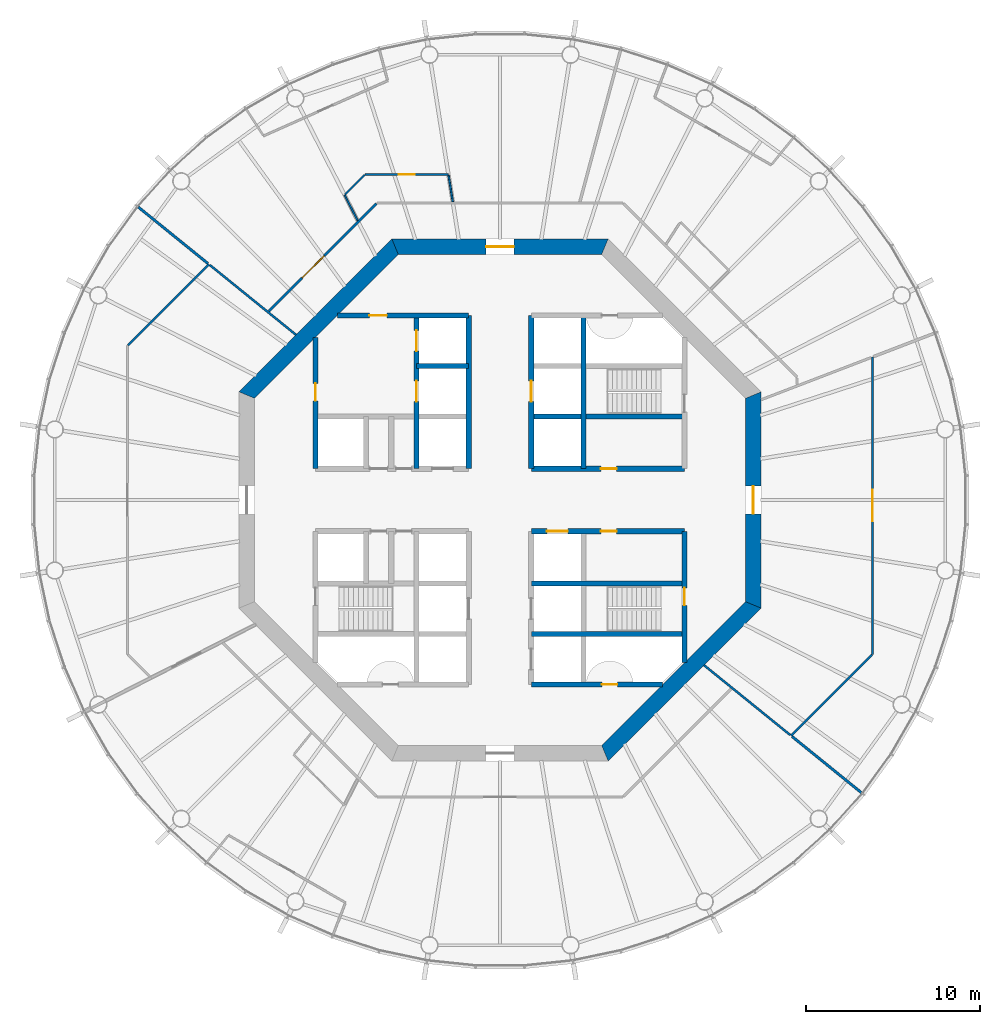
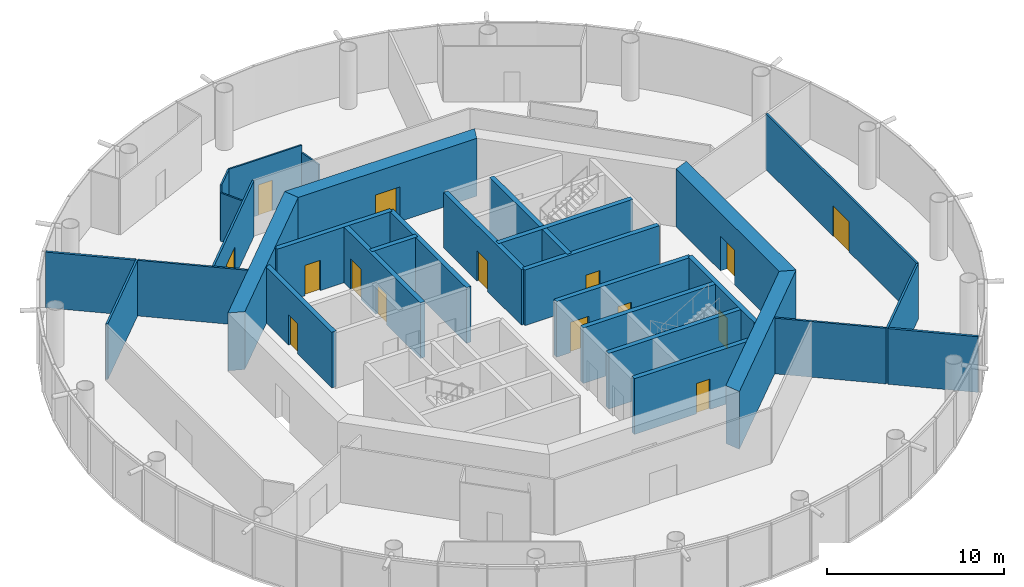
# One storey, part 4 of 12: 30 walls, 15 doors, 15 openings.
"""IFC4 building model written with IfcOpenShell, lengths in metres."""

from ifc_helpers import new_model, si_unit, direction, frame, frame_2d, origin, place, context, subcontext, project, spatial, polyline, rectangle, outline, extrude, material, layer, layer_set, type_object, element, fill, save


model = new_model("IFC4")

# Units and contexts
model_context = context("Model", 3, precision=1e-05, world=origin(), true_north=direction((0.0, 1.0)))
body_context = subcontext(model_context, "Body", "Model", "MODEL_VIEW")
ifc_project = project(units=[si_unit("LENGTHUNIT", "METRE"), si_unit("AREAUNIT", "SQUARE_METRE"), si_unit("VOLUMEUNIT", "CUBIC_METRE"), si_unit("PLANEANGLEUNIT", "RADIAN"), si_unit("MASSUNIT", "GRAM", prefix="KILO")], contexts=[model_context])

# Site, building, storey
site_placement = place(None, origin())
site = spatial("IfcSite", under=ifc_project, at=site_placement, CompositionType="ELEMENT")
building_placement = place(site_placement, origin())
building = spatial("IfcBuilding", under=site, at=building_placement, Name="Entoto Ring Tower", CompositionType="ELEMENT")
storey_placement = place(building_placement, frame((0.0, 0.0, 214.0)))
storey = spatial("IfcBuildingStorey", under=building, at=storey_placement, Name="L49", CompositionType="ELEMENT", Elevation=214.0)

# Wall, opening, door
ifc_material_1 = material(Name="Concrete C40/50", Category="concrete")
ifc_layer_1 = layer(ifc_material_1, 0.300048828125)
ifc_layer_set_1 = layer_set([ifc_layer_1], Name="Concrete C40/50")
wall_type_1 = type_object("IfcWallType", Name="Core enclosure wall 300 mm reinforced concrete", PredefinedType="SOLIDWALL", material=ifc_layer_set_1)
wall_1_placement = place(storey_placement, frame((100.60009765625, 70.65966796875, 0.0), z_axis=(0.0, 0.0, 1.0), x_axis=(0.0, 1.0, 0.0)))
wall_1 = element("IfcWall", 1, at=wall_1_placement, inside=storey, type_object=wall_type_1, Name="wall-L49-001", PredefinedType="SOLIDWALL", context=body_context, shape_type="SweptSolid", body=[
    extrude(rectangle(XDim=7.540283203125, YDim=0.300048828125, at=frame_2d((3.77001953125, 0.0))), origin(), (0.0, 0.0, 1.0), 3.85009765625),
])
opening_1_placement = place(wall_1_placement, frame((3.290283203125, 0.0, 0.0)))
opening_1 = element("IfcOpeningElement", 2, at=opening_1_placement, cuts=wall_1, Name="Opening K-61", PredefinedType="OPENING", context=body_context, shape_type="SweptSolid", body=[
    extrude(rectangle(XDim=1.0, YDim=2.10009765625, at=frame_2d((0.5, 1.050048828125))), frame((0.0, 0.16015625, 0.0), z_axis=(0.0, -1.0, 0.0), x_axis=(1.0, 0.0, 0.0)), (0.0, 0.0, 1.0), 0.320068359375),
])
ifc_material_2 = material(Name="Steel door leaf, fire rated", Category="steel")
ifc_layer_2 = layer(ifc_material_2, 0.050048828125)
ifc_layer_set_2 = layer_set([ifc_layer_2], Name="Steel door leaf, fire rated")
door_type_1 = type_object("IfcDoorType", Name="Fire door FD60 1000 x 2100 single leaf", OperationType="NOTDEFINED", PredefinedType="DOOR", material=ifc_layer_set_2)
door_1_placement = place(opening_1_placement, origin())
door_1 = element("IfcDoor", 3, at=door_1_placement, inside=storey, type_object=door_type_1, Name="Door K-61", OperationType="SINGLE_SWING_RIGHT", OverallHeight=2.10009765625, OverallWidth=1.0, PredefinedType="DOOR", context=body_context, shape_type="SweptSolid", body=[
    extrude(rectangle(XDim=1.0, YDim=2.10009765625, at=frame_2d((0.5, 1.050048828125))), frame((0.0, 0.02490234375, 0.0), z_axis=(0.0, -1.0, 0.0), x_axis=(1.0, 0.0, 0.0)), (0.0, 0.0, 1.0), 0.050048828125),
])
fill(opening_1, door_1)

# Wall
wall_2_placement = place(storey_placement, frame((94.800048828125, 81.800048828125, 0.0), z_axis=(0.0, 0.0, 1.0), x_axis=(0.0, 1.0, 0.0)))
element("IfcWall", 4, at=wall_2_placement, inside=storey, type_object=wall_type_1, Name="wall-L49-004", PredefinedType="SOLIDWALL", context=body_context, shape_type="SweptSolid", body=[
    extrude(rectangle(XDim=8.800048828125, YDim=0.300048828125, at=frame_2d((4.39990234375, 0.0))), origin(), (0.0, 0.0, 1.0), 3.85009765625),
])

# Wall, opening, door
wall_3_placement = place(storey_placement, frame((91.800048828125, 81.800048828125, 0.0), z_axis=(0.0, 0.0, 1.0), x_axis=(0.0, 1.0, 0.0)))
wall_3 = element("IfcWall", 5, at=wall_3_placement, inside=storey, type_object=wall_type_1, Name="wall-L49-006", PredefinedType="SOLIDWALL", context=body_context, shape_type="SweptSolid", body=[
    extrude(rectangle(XDim=8.800048828125, YDim=0.300048828125, at=frame_2d((4.39990234375, 0.0))), origin(), (0.0, 0.0, 1.0), 3.85009765625),
])
opening_2_placement = place(wall_3_placement, frame((3.85009765625, 0.0, 0.0)))
opening_2 = element("IfcOpeningElement", 6, at=opening_2_placement, cuts=wall_3, Name="Opening LD", PredefinedType="OPENING", context=body_context, shape_type="SweptSolid", body=[
    extrude(rectangle(XDim=1.199951171875, YDim=2.10009765625, at=frame_2d((0.60009765625, 1.050048828125))), frame((0.0, 0.16015625, 0.0), z_axis=(0.0, -1.0, 0.0), x_axis=(1.0, 0.0, 0.0)), (0.0, 0.0, 1.0), 0.320068359375),
])
ifc_material_3 = material(Name="Steel and glass door leaf", Category="steel")
ifc_layer_3 = layer(ifc_material_3, 0.050048828125)
ifc_layer_set_3 = layer_set([ifc_layer_3], Name="Steel and glass door leaf")
door_type_2 = type_object("IfcDoorType", Name="Landing door 1200 x 2100 sliding", OperationType="DOUBLE_DOOR_SLIDING", PredefinedType="DOOR", material=ifc_layer_set_3)
door_2_placement = place(opening_2_placement, origin())
door_2 = element("IfcDoor", 7, at=door_2_placement, inside=storey, type_object=door_type_2, Name="Landing door LB1-MR", OperationType="SLIDING_TO_RIGHT", OverallHeight=2.10009765625, OverallWidth=1.199951171875, PredefinedType="DOOR", context=body_context, shape_type="SweptSolid", body=[
    extrude(rectangle(XDim=1.199951171875, YDim=2.10009765625, at=frame_2d((0.60009765625, 1.050048828125))), frame((0.0, 0.02490234375, 0.0), z_axis=(0.0, -1.0, 0.0), x_axis=(1.0, 0.0, 0.0)), (0.0, 0.0, 1.0), 0.050048828125),
])
fill(opening_2, door_2)

# Wall
wall_4_placement = place(storey_placement, frame((88.199951171875, 81.800048828125, 0.0), z_axis=(0.0, 0.0, 1.0), x_axis=(0.0, 1.0, 0.0)))
element("IfcWall", 8, at=wall_4_placement, inside=storey, type_object=wall_type_1, Name="wall-L49-008", PredefinedType="SOLIDWALL", context=body_context, shape_type="SweptSolid", body=[
    extrude(rectangle(XDim=8.800048828125, YDim=0.300048828125, at=frame_2d((4.39990234375, 0.0))), origin(), (0.0, 0.0, 1.0), 3.85009765625),
])

# Wall, openings, doors
wall_5_placement = place(storey_placement, frame((85.199951171875, 81.800048828125, 0.0), z_axis=(0.0, 0.0, 1.0), x_axis=(0.0, 1.0, 0.0)))
wall_5 = element("IfcWall", 9, at=wall_5_placement, inside=storey, type_object=wall_type_1, Name="wall-L49-010", PredefinedType="SOLIDWALL", context=body_context, shape_type="SweptSolid", body=[
    extrude(rectangle(XDim=8.800048828125, YDim=0.300048828125, at=frame_2d((4.39990234375, 0.0))), origin(), (0.0, 0.0, 1.0), 3.85009765625),
])
opening_3_placement = place(wall_5_placement, frame((3.85009765625, 0.0, 0.0)))
opening_3 = element("IfcOpeningElement", 10, at=opening_3_placement, cuts=wall_5, Name="Opening LD", PredefinedType="OPENING", context=body_context, shape_type="SweptSolid", body=[
    extrude(rectangle(XDim=1.199951171875, YDim=2.10009765625, at=frame_2d((0.60009765625, 1.050048828125))), frame((0.0, 0.16015625, 0.0), z_axis=(0.0, -1.0, 0.0), x_axis=(1.0, 0.0, 0.0)), (0.0, 0.0, 1.0), 0.320068359375),
])
opening_4_placement = place(wall_5_placement, frame((6.75, 0.0, 0.0)))
opening_4 = element("IfcOpeningElement", 11, at=opening_4_placement, cuts=wall_5, Name="Opening LD", PredefinedType="OPENING", context=body_context, shape_type="SweptSolid", body=[
    extrude(rectangle(XDim=1.199951171875, YDim=2.10009765625, at=frame_2d((0.60009765625, 1.050048828125))), frame((0.0, 0.16015625, 0.0), z_axis=(0.0, -1.0, 0.0), x_axis=(1.0, 0.0, 0.0)), (0.0, 0.0, 1.0), 0.320068359375),
])
door_3_placement = place(opening_3_placement, origin())
door_3 = element("IfcDoor", 12, at=door_3_placement, inside=storey, type_object=door_type_2, Name="Landing door FF1", OperationType="SLIDING_TO_RIGHT", OverallHeight=2.10009765625, OverallWidth=1.199951171875, PredefinedType="DOOR", context=body_context, shape_type="SweptSolid", body=[
    extrude(rectangle(XDim=1.199951171875, YDim=2.10009765625, at=frame_2d((0.60009765625, 1.050048828125))), frame((0.0, 0.02490234375, 0.0), z_axis=(0.0, -1.0, 0.0), x_axis=(1.0, 0.0, 0.0)), (0.0, 0.0, 1.0), 0.050048828125),
])
fill(opening_3, door_3)
door_4_placement = place(opening_4_placement, origin())
door_4 = element("IfcDoor", 13, at=door_4_placement, inside=storey, type_object=door_type_2, Name="Landing door FF2", OperationType="SLIDING_TO_RIGHT", OverallHeight=2.10009765625, OverallWidth=1.199951171875, PredefinedType="DOOR", context=body_context, shape_type="SweptSolid", body=[
    extrude(rectangle(XDim=1.199951171875, YDim=2.10009765625, at=frame_2d((0.60009765625, 1.050048828125))), frame((0.0, 0.02490234375, 0.0), z_axis=(0.0, -1.0, 0.0), x_axis=(1.0, 0.0, 0.0)), (0.0, 0.0, 1.0), 0.050048828125),
])
fill(opening_4, door_4)

# Wall, opening, door
wall_6_placement = place(storey_placement, frame((79.39990234375, 81.800048828125, 0.0), z_axis=(0.0, 0.0, 1.0), x_axis=(0.0, 1.0, 0.0)))
wall_6 = element("IfcWall", 14, at=wall_6_placement, inside=storey, type_object=wall_type_1, Name="wall-L49-016", PredefinedType="SOLIDWALL", context=body_context, shape_type="SweptSolid", body=[
    extrude(rectangle(XDim=7.540283203125, YDim=0.300048828125, at=frame_2d((3.77001953125, 0.0))), origin(), (0.0, 0.0, 1.0), 3.85009765625),
])
opening_5_placement = place(wall_6_placement, frame((3.89990234375, 0.0, 0.0)))
opening_5 = element("IfcOpeningElement", 15, at=opening_5_placement, cuts=wall_6, Name="Opening K-23", PredefinedType="OPENING", context=body_context, shape_type="SweptSolid", body=[
    extrude(rectangle(XDim=1.0, YDim=2.10009765625, at=frame_2d((0.5, 1.050048828125))), frame((0.0, 0.16015625, 0.0), z_axis=(0.0, -1.0, 0.0), x_axis=(1.0, 0.0, 0.0)), (0.0, 0.0, 1.0), 0.320068359375),
])
door_5_placement = place(opening_5_placement, frame((1.0, 0.0, 0.0), z_axis=(0.0, 0.0, 1.0), x_axis=(-1.0, 0.0, 0.0)))
door_5 = element("IfcDoor", 16, at=door_5_placement, inside=storey, type_object=door_type_1, Name="Door K-23", OperationType="SINGLE_SWING_RIGHT", OverallHeight=2.10009765625, OverallWidth=1.0, PredefinedType="DOOR", context=body_context, shape_type="SweptSolid", body=[
    extrude(rectangle(XDim=1.0, YDim=2.10009765625, at=frame_2d((0.5, 1.050048828125))), frame((0.0, 0.02490234375, 0.0), z_axis=(0.0, -1.0, 0.0), x_axis=(1.0, 0.0, 0.0)), (0.0, 0.0, 1.0), 0.050048828125),
])
fill(opening_5, door_5)

wall_7_placement = place(storey_placement, frame((91.800048828125, 69.39990234375, 0.0), z_axis=(0.0, 0.0, 1.0), x_axis=(1.0, 0.0, 0.0)))
wall_7 = element("IfcWall", 17, at=wall_7_placement, inside=storey, type_object=wall_type_1, Name="wall-L49-018", PredefinedType="SOLIDWALL", context=body_context, shape_type="SweptSolid", body=[
    extrude(rectangle(XDim=7.540283203125, YDim=0.300048828125, at=frame_2d((3.77001953125, 0.0))), origin(), (0.0, 0.0, 1.0), 3.85009765625),
])
opening_6_placement = place(wall_7_placement, frame((4.050048828125, 0.0, 0.0)))
opening_6 = element("IfcOpeningElement", 18, at=opening_6_placement, cuts=wall_7, Name="Opening K-68", PredefinedType="OPENING", context=body_context, shape_type="SweptSolid", body=[
    extrude(rectangle(XDim=0.89990234375, YDim=2.10009765625, at=frame_2d((0.449951171875, 1.050048828125))), frame((0.0, 0.16015625, 0.0), z_axis=(0.0, -1.0, 0.0), x_axis=(1.0, 0.0, 0.0)), (0.0, 0.0, 1.0), 0.320068359375),
])
ifc_material_4 = material(Name="Steel door leaf, fire rated", Category="steel")
ifc_layer_4 = layer(ifc_material_4, 0.050048828125)
ifc_layer_set_4 = layer_set([ifc_layer_4], Name="Steel door leaf, fire rated")
door_type_3 = type_object("IfcDoorType", Name="Riser door FD60 900 x 2100 single leaf", OperationType="NOTDEFINED", PredefinedType="DOOR", material=ifc_layer_set_4)
door_6_placement = place(opening_6_placement, origin())
door_6 = element("IfcDoor", 19, at=door_6_placement, inside=storey, type_object=door_type_3, Name="Door K-68", OperationType="SINGLE_SWING_LEFT", OverallHeight=2.10009765625, OverallWidth=0.89990234375, PredefinedType="DOOR", context=body_context, shape_type="SweptSolid", body=[
    extrude(rectangle(XDim=0.89990234375, YDim=2.10009765625, at=frame_2d((0.449951171875, 1.050048828125))), frame((0.0, 0.02490234375, 0.0), z_axis=(0.0, -1.0, 0.0), x_axis=(1.0, 0.0, 0.0)), (0.0, 0.0, 1.0), 0.050048828125),
])
fill(opening_6, door_6)

# Walls
for number, where, z_axis, x_axis, name in (
    (20, (91.800048828125, 72.300048828125, 0.0), (0.0, 0.0, 1.0), (1.0, 0.0, 0.0), "wall-L49-020"),
    (21, (91.800048828125, 75.199951171875, 0.0), (0.0, 0.0, 1.0), (1.0, 0.0, 0.0), "wall-L49-022"),
):
    element("IfcWall", number, at=place(storey_placement, frame(where, z_axis=z_axis, x_axis=x_axis)), inside=storey, type_object=wall_type_1, Name=name, PredefinedType="SOLIDWALL", context=body_context, shape_type="SweptSolid", body=[
        extrude(rectangle(XDim=8.800048828125, YDim=0.300048828125, at=frame_2d((4.39990234375, 0.0))), origin(), (0.0, 0.0, 1.0), 3.85009765625),
    ])

# Wall, openings, doors
wall_8_placement = place(storey_placement, frame((91.800048828125, 78.199951171875, 0.0), z_axis=(0.0, 0.0, 1.0), x_axis=(1.0, 0.0, 0.0)))
wall_8 = element("IfcWall", 22, at=wall_8_placement, inside=storey, type_object=wall_type_1, Name="wall-L49-024", PredefinedType="SOLIDWALL", context=body_context, shape_type="SweptSolid", body=[
    extrude(rectangle(XDim=8.800048828125, YDim=0.300048828125, at=frame_2d((4.39990234375, 0.0))), origin(), (0.0, 0.0, 1.0), 3.85009765625),
])
opening_7_placement = place(wall_8_placement, frame((0.89990234375, 0.0, 0.0)))
opening_7 = element("IfcOpeningElement", 23, at=opening_7_placement, cuts=wall_8, Name="Opening LD", PredefinedType="OPENING", context=body_context, shape_type="SweptSolid", body=[
    extrude(rectangle(XDim=1.199951171875, YDim=2.10009765625, at=frame_2d((0.60009765625, 1.050048828125))), frame((0.0, 0.16015625, 0.0), z_axis=(0.0, -1.0, 0.0), x_axis=(1.0, 0.0, 0.0)), (0.0, 0.0, 1.0), 0.320068359375),
])
opening_8_placement = place(wall_8_placement, frame((4.0, 0.0, 0.0)))
opening_8 = element("IfcOpeningElement", 24, at=opening_8_placement, cuts=wall_8, Name="Opening K-12", PredefinedType="OPENING", context=body_context, shape_type="SweptSolid", body=[
    extrude(rectangle(XDim=0.89990234375, YDim=2.10009765625, at=frame_2d((0.449951171875, 1.050048828125))), frame((0.0, 0.16015625, 0.0), z_axis=(0.0, -1.0, 0.0), x_axis=(1.0, 0.0, 0.0)), (0.0, 0.0, 1.0), 0.320068359375),
])
ifc_material_5 = material(Name="Steel door leaf, fire rated", Category="steel")
ifc_layer_5 = layer(ifc_material_5, 0.050048828125)
ifc_layer_set_5 = layer_set([ifc_layer_5], Name="Steel door leaf, fire rated")
door_type_4 = type_object("IfcDoorType", Name="Core door 900 x 2100 single leaf", OperationType="NOTDEFINED", PredefinedType="DOOR", material=ifc_layer_set_5)
door_7_placement = place(opening_8_placement, frame((0.89990234375, 0.0, 0.0), z_axis=(0.0, 0.0, 1.0), x_axis=(-1.0, 0.0, 0.0)))
door_7 = element("IfcDoor", 25, at=door_7_placement, inside=storey, type_object=door_type_4, Name="Door K-12", OperationType="SINGLE_SWING_RIGHT", OverallHeight=2.10009765625, OverallWidth=0.89990234375, PredefinedType="DOOR", context=body_context, shape_type="SweptSolid", body=[
    extrude(rectangle(XDim=0.89990234375, YDim=2.10009765625, at=frame_2d((0.449951171875, 1.050048828125))), frame((0.0, 0.02490234375, 0.0), z_axis=(0.0, -1.0, 0.0), x_axis=(1.0, 0.0, 0.0)), (0.0, 0.0, 1.0), 0.050048828125),
])
fill(opening_8, door_7)
door_8_placement = place(opening_7_placement, origin())
door_8 = element("IfcDoor", 26, at=door_8_placement, inside=storey, type_object=door_type_2, Name="Landing door LB6-MR", OperationType="SLIDING_TO_LEFT", OverallHeight=2.10009765625, OverallWidth=1.199951171875, PredefinedType="DOOR", context=body_context, shape_type="SweptSolid", body=[
    extrude(rectangle(XDim=1.199951171875, YDim=2.10009765625, at=frame_2d((0.60009765625, 1.050048828125))), frame((0.0, 0.02490234375, 0.0), z_axis=(0.0, -1.0, 0.0), x_axis=(1.0, 0.0, 0.0)), (0.0, 0.0, 1.0), 0.050048828125),
])
fill(opening_7, door_8)

# Wall, opening, door
wall_9_placement = place(storey_placement, frame((91.800048828125, 81.800048828125, 0.0), z_axis=(0.0, 0.0, 1.0), x_axis=(1.0, 0.0, 0.0)))
wall_9 = element("IfcWall", 27, at=wall_9_placement, inside=storey, type_object=wall_type_1, Name="wall-L49-026", PredefinedType="SOLIDWALL", context=body_context, shape_type="SweptSolid", body=[
    extrude(rectangle(XDim=8.800048828125, YDim=0.300048828125, at=frame_2d((4.39990234375, 0.0))), origin(), (0.0, 0.0, 1.0), 3.85009765625),
])
opening_9_placement = place(wall_9_placement, frame((4.0, 0.0, 0.0)))
opening_9 = element("IfcOpeningElement", 28, at=opening_9_placement, cuts=wall_9, Name="Opening K-11", PredefinedType="OPENING", context=body_context, shape_type="SweptSolid", body=[
    extrude(rectangle(XDim=0.89990234375, YDim=2.10009765625, at=frame_2d((0.449951171875, 1.050048828125))), frame((0.0, 0.16015625, 0.0), z_axis=(0.0, -1.0, 0.0), x_axis=(1.0, 0.0, 0.0)), (0.0, 0.0, 1.0), 0.320068359375),
])
door_9_placement = place(opening_9_placement, origin())
door_9 = element("IfcDoor", 29, at=door_9_placement, inside=storey, type_object=door_type_4, Name="Door K-11", OperationType="SINGLE_SWING_LEFT", OverallHeight=2.10009765625, OverallWidth=0.89990234375, PredefinedType="DOOR", context=body_context, shape_type="SweptSolid", body=[
    extrude(rectangle(XDim=0.89990234375, YDim=2.10009765625, at=frame_2d((0.449951171875, 1.050048828125))), frame((0.0, 0.02490234375, 0.0), z_axis=(0.0, -1.0, 0.0), x_axis=(1.0, 0.0, 0.0)), (0.0, 0.0, 1.0), 0.050048828125),
])
fill(opening_9, door_9)

# Walls
wall_10_placement = place(storey_placement, frame((91.800048828125, 84.800048828125, 0.0), z_axis=(0.0, 0.0, 1.0), x_axis=(1.0, 0.0, 0.0)))
element("IfcWall", 30, at=wall_10_placement, inside=storey, type_object=wall_type_1, Name="wall-L49-028", PredefinedType="SOLIDWALL", context=body_context, shape_type="SweptSolid", body=[
    extrude(rectangle(XDim=8.800048828125, YDim=0.300048828125, at=frame_2d((4.39990234375, 0.0))), origin(), (0.0, 0.0, 1.0), 3.85009765625),
])
wall_11_placement = place(storey_placement, frame((85.199951171875, 87.699951171875, 0.0), z_axis=(0.0, 0.0, 1.0), x_axis=(1.0, 0.0, 0.0)))
element("IfcWall", 31, at=wall_11_placement, inside=storey, type_object=wall_type_1, Name="wall-L49-029", PredefinedType="SOLIDWALL", context=body_context, shape_type="SweptSolid", body=[
    extrude(rectangle(XDim=3.0, YDim=0.300048828125, at=frame_2d((1.5, 0.0))), origin(), (0.0, 0.0, 1.0), 3.85009765625),
])

# Wall, opening, door
wall_12_placement = place(storey_placement, frame((80.65966796875, 90.60009765625, 0.0), z_axis=(0.0, 0.0, 1.0), x_axis=(1.0, 0.0, 0.0)))
wall_12 = element("IfcWall", 32, at=wall_12_placement, inside=storey, type_object=wall_type_1, Name="wall-L49-031", PredefinedType="SOLIDWALL", context=body_context, shape_type="SweptSolid", body=[
    extrude(rectangle(XDim=7.540283203125, YDim=0.300048828125, at=frame_2d((3.77001953125, 0.0))), origin(), (0.0, 0.0, 1.0), 3.85009765625),
])
opening_10_placement = place(wall_12_placement, frame((1.84033203125, 0.0, 0.0)))
opening_10 = element("IfcOpeningElement", 33, at=opening_10_placement, cuts=wall_12, Name="Opening K-73", PredefinedType="OPENING", context=body_context, shape_type="SweptSolid", body=[
    extrude(rectangle(XDim=1.0, YDim=2.10009765625, at=frame_2d((0.5, 1.050048828125))), frame((0.0, 0.16015625, 0.0), z_axis=(0.0, -1.0, 0.0), x_axis=(1.0, 0.0, 0.0)), (0.0, 0.0, 1.0), 0.320068359375),
])
door_10_placement = place(opening_10_placement, frame((1.0, 0.0, 0.0), z_axis=(0.0, 0.0, 1.0), x_axis=(-1.0, 0.0, 0.0)))
door_10 = element("IfcDoor", 34, at=door_10_placement, inside=storey, type_object=door_type_1, Name="Door K-73", OperationType="SINGLE_SWING_LEFT", OverallHeight=2.10009765625, OverallWidth=1.0, PredefinedType="DOOR", context=body_context, shape_type="SweptSolid", body=[
    extrude(rectangle(XDim=1.0, YDim=2.10009765625, at=frame_2d((0.5, 1.050048828125))), frame((0.0, 0.02490234375, 0.0), z_axis=(0.0, -1.0, 0.0), x_axis=(1.0, 0.0, 0.0)), (0.0, 0.0, 1.0), 0.050048828125),
])
fill(opening_10, door_10)

ifc_material_6 = material(Name="Concrete C50/60", Category="concrete")
ifc_layer_6 = layer(ifc_material_6, 0.89990234375)
ifc_layer_set_6 = layer_set([ifc_layer_6], Name="Concrete C50/60")
wall_type_2 = type_object("IfcWallType", Name="Core shear wall 900 mm reinforced concrete C50/60", PredefinedType="SHEAR", material=ifc_layer_set_6)
wall_13_placement = place(storey_placement, frame((104.550048828125, 73.97314453125, 0.0), z_axis=(0.0, 0.0, 1.0), x_axis=(0.0, 1.0, 0.0)))
wall_13 = element("IfcWall", 35, at=wall_13_placement, inside=storey, type_object=wall_type_2, Name="wall-L49-core-0", PredefinedType="SHEAR", context=body_context, shape_type="SweptSolid", body=[
    extrude(outline(polyline([(-0.186279296875, -0.449951171875), (12.239990234375, -0.449951171875), (11.867431640625, 0.449951171875), (0.186279296875, 0.449951171875), (-0.186279296875, -0.449951171875)])), origin(), (0.0, 0.0, 1.0), 4.0),
])
opening_11_placement = place(wall_13_placement, frame((5.226806640625, 0.0, 0.0)))
opening_11 = element("IfcOpeningElement", 36, at=opening_11_placement, cuts=wall_13, Name="Opening K-01", PredefinedType="OPENING", context=body_context, shape_type="SweptSolid", body=[
    extrude(rectangle(XDim=1.60009765625, YDim=2.39990234375, at=frame_2d((0.800048828125, 1.199951171875))), frame((0.0, 0.4599609375, 0.0), z_axis=(0.0, -1.0, 0.0), x_axis=(1.0, 0.0, 0.0)), (0.0, 0.0, 1.0), 0.919921875),
])
ifc_material_7 = material(Name="Steel door leaf, fire rated", Category="steel")
ifc_layer_7 = layer(ifc_material_7, 0.050048828125)
ifc_layer_set_7 = layer_set([ifc_layer_7], Name="Steel door leaf, fire rated")
door_type_5 = type_object("IfcDoorType", Name="Entrance door FD60 1600 x 2400 double leaf", OperationType="DOUBLE_DOOR_SINGLE_SWING", PredefinedType="DOOR", material=ifc_layer_set_7)
door_11_placement = place(opening_11_placement, origin())
door_11 = element("IfcDoor", 37, at=door_11_placement, inside=storey, type_object=door_type_5, Name="Entrance door K-01", OperationType="DOUBLE_DOOR_SINGLE_SWING", OverallHeight=2.39990234375, OverallWidth=1.60009765625, PredefinedType="DOOR", context=body_context, shape_type="SweptSolid", body=[
    extrude(rectangle(XDim=1.60009765625, YDim=2.39990234375, at=frame_2d((0.800048828125, 1.199951171875))), frame((0.0, 0.02490234375, 0.0), z_axis=(0.0, -1.0, 0.0), x_axis=(1.0, 0.0, 0.0)), (0.0, 0.0, 1.0), 0.050048828125),
])
fill(opening_11, door_11)

wall_14_placement = place(storey_placement, frame((96.02685546875, 94.550048828125, 0.0), z_axis=(0.0, 0.0, 1.0), x_axis=(-1.0, 0.0, 0.0)))
wall_14 = element("IfcWall", 38, at=wall_14_placement, inside=storey, type_object=wall_type_2, Name="wall-L49-core-2", PredefinedType="SHEAR", context=body_context, shape_type="SweptSolid", body=[
    extrude(outline(polyline([(-0.186279296875, -0.449951171875), (12.239990234375, -0.449951171875), (11.867431640625, 0.449951171875), (0.186279296875, 0.449951171875), (-0.186279296875, -0.449951171875)])), origin(), (0.0, 0.0, 1.0), 4.0),
])
opening_12_placement = place(wall_14_placement, frame((5.226806640625, 0.0, 0.0)))
opening_12 = element("IfcOpeningElement", 39, at=opening_12_placement, cuts=wall_14, Name="Opening K-02", PredefinedType="OPENING", context=body_context, shape_type="SweptSolid", body=[
    extrude(rectangle(XDim=1.60009765625, YDim=2.39990234375, at=frame_2d((0.800048828125, 1.199951171875))), frame((0.0, 0.4599609375, 0.0), z_axis=(0.0, -1.0, 0.0), x_axis=(1.0, 0.0, 0.0)), (0.0, 0.0, 1.0), 0.919921875),
])
door_12_placement = place(opening_12_placement, origin())
door_12 = element("IfcDoor", 40, at=door_12_placement, inside=storey, type_object=door_type_5, Name="Entrance door K-02", OperationType="DOUBLE_DOOR_SINGLE_SWING", OverallHeight=2.39990234375, OverallWidth=1.60009765625, PredefinedType="DOOR", context=body_context, shape_type="SweptSolid", body=[
    extrude(rectangle(XDim=1.60009765625, YDim=2.39990234375, at=frame_2d((0.800048828125, 1.199951171875))), frame((0.0, 0.02490234375, 0.0), z_axis=(0.0, -1.0, 0.0), x_axis=(1.0, 0.0, 0.0)), (0.0, 0.0, 1.0), 0.050048828125),
])
fill(opening_12, door_12)

# Walls
for number, where, z_axis, x_axis, name in (
    (41, (83.97314453125, 94.550048828125, 0.0), (0.0, 0.0, 1.0), (-0.707106781187, -0.707106781187, 0.0), "wall-L49-core-3"),
    (42, (96.02685546875, 65.449951171875, 0.0), (0.0, 0.0, 1.0), (0.707106781187, 0.707106781187, 0.0), "wall-L49-core-7"),
):
    element("IfcWall", number, at=place(storey_placement, frame(where, z_axis=z_axis, x_axis=x_axis)), inside=storey, type_object=wall_type_2, Name=name, PredefinedType="SHEAR", context=body_context, shape_type="SweptSolid", body=[
        extrude(outline(polyline([(-0.186279296875, -0.449951171875), (12.239990234375, -0.449951171875), (11.867431640625, 0.449951171875), (0.186279296875, 0.449951171875), (-0.186279296875, -0.449951171875)])), origin(), (0.0, 0.0, 1.0), 4.0),
    ])

# Wall, opening, door
ifc_material_8 = material(Name="Fire-resisting plasterboard on steel studs", Category="steel")
ifc_layer_8 = layer(ifc_material_8, 0.125)
ifc_layer_set_8 = layer_set([ifc_layer_8], Name="Fire-resisting plasterboard on steel studs")
wall_type_3 = type_object("IfcWallType", Name="Corridor wall 125 mm one-hour plasterboard on steel studs", PredefinedType="PARTITIONING", material=ifc_layer_set_8)
wall_15_placement = place(storey_placement, frame((111.39990234375, 71.1357421875, 0.0), z_axis=(0.0, 0.0, 1.0), x_axis=(0.0, 1.0, 0.0)))
wall_15 = element("IfcWall", 43, at=wall_15_placement, inside=storey, type_object=wall_type_3, Name="partition-L49-002", PredefinedType="PARTITIONING", context=body_context, shape_type="SweptSolid", body=[
    extrude(rectangle(XDim=17.078857421875, YDim=0.125, at=frame_2d((8.53955078125, 0.0))), origin(), (0.0, 0.0, 1.0), 3.85009765625),
])
opening_13_placement = place(wall_15_placement, frame((7.639404296875, 0.0, 0.0)))
opening_13 = element("IfcOpeningElement", 44, at=opening_13_placement, cuts=wall_15, Name="Opening A21-D01", PredefinedType="OPENING", context=body_context, shape_type="SweptSolid", body=[
    extrude(rectangle(XDim=1.800048828125, YDim=2.10009765625, at=frame_2d((0.89990234375, 1.050048828125))), frame((0.0, 0.072509765625, 0.0), z_axis=(0.0, -1.0, 0.0), x_axis=(1.0, 0.0, 0.0)), (0.0, 0.0, 1.0), 0.14501953125),
])
ifc_material_9 = material(Name="Fire-resisting timber door set", Category="wood")
door_type_6 = type_object("IfcDoorType", Name="Door 1800 x 2100 double leaf FD30S fire door", OperationType="DOUBLE_DOOR_SINGLE_SWING", PredefinedType="DOOR", material=ifc_material_9)
door_13_placement = place(opening_13_placement, frame((1.800048828125, 0.0, 0.0), z_axis=(0.0, 0.0, 1.0), x_axis=(-1.0, 0.0, 0.0)))
door_13 = element("IfcDoor", 45, at=door_13_placement, inside=storey, type_object=door_type_6, Name="Door A21-D01", OperationType="DOUBLE_DOOR_SINGLE_SWING", OverallHeight=2.10009765625, OverallWidth=1.800048828125, PredefinedType="DOOR", context=body_context, shape_type="SweptSolid", body=[
    extrude(rectangle(XDim=1.800048828125, YDim=2.10009765625, at=frame_2d((0.89990234375, 1.050048828125))), frame((0.0, 0.02490234375, 0.0), z_axis=(0.0, -1.0, 0.0), x_axis=(1.0, 0.0, 0.0)), (0.0, 0.0, 1.0), 0.050048828125),
])
fill(opening_13, door_13)

wall_16_placement = place(storey_placement, frame((76.716064453125, 90.845947265625, 0.0), z_axis=(0.0, 0.0, 1.0), x_axis=(0.707092826187, 0.70712073591, 0.0)))
wall_16 = element("IfcWall", 46, at=wall_16_placement, inside=storey, type_object=wall_type_3, Name="partition-L49-007", PredefinedType="PARTITIONING", context=body_context, shape_type="SweptSolid", body=[
    extrude(rectangle(XDim=8.74755859375, YDim=0.125, at=frame_2d((4.373779296875, 0.0))), origin(), (0.0, 0.0, 1.0), 3.85009765625),
])
opening_14_placement = place(wall_16_placement, frame((2.69921875, 0.0, 0.0)))
opening_14 = element("IfcOpeningElement", 47, at=opening_14_placement, cuts=wall_16, Name="Opening A21-D06", PredefinedType="OPENING", context=body_context, shape_type="SweptSolid", body=[
    extrude(rectangle(XDim=1.800048828125, YDim=2.10009765625, at=frame_2d((0.89990234375, 1.050048828125))), frame((0.0, 0.072509765625, 0.0), z_axis=(0.0, -1.0, 0.0), x_axis=(1.0, 0.0, 0.0)), (0.0, 0.0, 1.0), 0.14501953125),
])
door_14_placement = place(opening_14_placement, origin())
door_14 = element("IfcDoor", 48, at=door_14_placement, inside=storey, type_object=door_type_6, Name="Door A21-D06", OperationType="DOUBLE_DOOR_SINGLE_SWING", OverallHeight=2.10009765625, OverallWidth=1.800048828125, PredefinedType="DOOR", context=body_context, shape_type="SweptSolid", body=[
    extrude(rectangle(XDim=1.800048828125, YDim=2.10009765625, at=frame_2d((0.89990234375, 1.050048828125))), frame((0.0, 0.02490234375, 0.0), z_axis=(0.0, -1.0, 0.0), x_axis=(1.0, 0.0, 0.0)), (0.0, 0.0, 1.0), 0.050048828125),
])
fill(opening_14, door_14)

# Walls
for number, where, z_axis, x_axis, name in (
    (49, (68.631103515625, 88.895263671875, 0.0), (0.0, 0.0, 1.0), (0.707125358217, 0.707088203668, 0.0), "partition-L49-011"),
    (50, (106.722412109375, 66.45849609375, 0.0), (0.0, 0.0, 1.0), (0.707125358217, 0.707088203668, 0.0), "partition-L49-012"),
):
    element("IfcWall", number, at=place(storey_placement, frame(where, z_axis=z_axis, x_axis=x_axis)), inside=storey, type_object=wall_type_3, Name=name, PredefinedType="PARTITIONING", context=body_context, shape_type="SweptSolid", body=[
        extrude(rectangle(XDim=6.571044921875, YDim=0.125, at=frame_2d((3.28564453125, 0.0))), origin(), (0.0, 0.0, 1.0), 3.85009765625),
    ])
for number, where, z_axis, x_axis, name in (
    (51, (106.67431640625, 66.49755859375, 0.0), (0.0, 0.0, 1.0), (-0.777147622925, 0.629318339302, 0.0), "partition-L49-013"),
    (52, (78.278564453125, 89.49169921875, 0.0), (0.0, 0.0, 1.0), (-0.777147622925, 0.629318339302, 0.0), "partition-L49-014"),
):
    element("IfcWall", number, at=place(storey_placement, frame(where, z_axis=z_axis, x_axis=x_axis)), inside=storey, type_object=wall_type_3, Name=name, PredefinedType="PARTITIONING", context=body_context, shape_type="SweptSolid", body=[
        extrude(rectangle(XDim=6.373046875, YDim=0.125, at=frame_2d((3.1865234375, 0.0))), origin(), (0.0, 0.0, 1.0), 3.85009765625),
    ])

# Wall, opening, door
ifc_material_10 = material(Name="Plasterboard on steel studs", Category="steel")
ifc_layer_9 = layer(ifc_material_10, 0.10009765625)
ifc_layer_set_9 = layer_set([ifc_layer_9], Name="Plasterboard on steel studs")
wall_type_4 = type_object("IfcWallType", Name="Partition 100 mm plasterboard on steel studs", PredefinedType="PARTITIONING", material=ifc_layer_set_9)
wall_17_placement = place(storey_placement, frame((82.253173828125, 98.702392578125, 0.0), z_axis=(0.0, 0.0, 1.0), x_axis=(1.0, 0.0, 0.0)))
wall_17 = element("IfcWall", 53, at=wall_17_placement, inside=storey, type_object=wall_type_4, Name="partition-L49-025", PredefinedType="PARTITIONING", context=body_context, shape_type="SweptSolid", body=[
    extrude(rectangle(XDim=4.78466796875, YDim=0.10009765625, at=frame_2d((2.392333984375, 0.0))), origin(), (0.0, 0.0, 1.0), 3.85009765625),
])
opening_15_placement = place(wall_17_placement, frame((1.9423828125, 0.0, 0.0)))
opening_15 = element("IfcOpeningElement", 54, at=opening_15_placement, cuts=wall_17, Name="Opening A21-D07", PredefinedType="OPENING", context=body_context, shape_type="SweptSolid", body=[
    extrude(rectangle(XDim=0.89990234375, YDim=2.10009765625, at=frame_2d((0.449951171875, 1.050048828125))), frame((0.0, 0.06005859375, 0.0), z_axis=(0.0, -1.0, 0.0), x_axis=(1.0, 0.0, 0.0)), (0.0, 0.0, 1.0), 0.1201171875),
])
ifc_material_11 = material(Name="Veneered timber door leaf in timber frame", Category="wood")
door_type_7 = type_object("IfcDoorType", Name="Door 900 x 2100 single leaf timber veneer", OperationType="NOTDEFINED", PredefinedType="DOOR", material=ifc_material_11)
door_15_placement = place(opening_15_placement, frame((0.89990234375, 0.0, 0.0), z_axis=(0.0, 0.0, 1.0), x_axis=(-1.0, 0.0, 0.0)))
door_15 = element("IfcDoor", 55, at=door_15_placement, inside=storey, type_object=door_type_7, Name="Door A21-D07", OperationType="SINGLE_SWING_LEFT", OverallHeight=2.10009765625, OverallWidth=0.89990234375, PredefinedType="DOOR", context=body_context, shape_type="SweptSolid", body=[
    extrude(rectangle(XDim=0.89990234375, YDim=2.10009765625, at=frame_2d((0.449951171875, 1.050048828125))), frame((0.0, 0.02490234375, 0.0), z_axis=(0.0, -1.0, 0.0), x_axis=(1.0, 0.0, 0.0)), (0.0, 0.0, 1.0), 0.050048828125),
])
fill(opening_15, door_15)

# Walls
wall_18_placement = place(storey_placement, frame((81.105712890625, 97.55517578125, 0.0), z_axis=(0.0, 0.0, 1.0), x_axis=(0.707106781187, 0.707106781187, 0.0)))
element("IfcWall", 56, at=wall_18_placement, inside=storey, type_object=wall_type_4, Name="partition-L49-036", PredefinedType="PARTITIONING", context=body_context, shape_type="SweptSolid", body=[
    extrude(rectangle(XDim=1.587646484375, YDim=0.10009765625, at=frame_2d((0.7939453125, 0.0))), origin(), (0.0, 0.0, 1.0), 3.85009765625),
])
ifc_material_12 = material(Name="Plasterboard on steel studs", Category="steel")
ifc_layer_10 = layer(ifc_material_12, 0.10009765625)
ifc_layer_set_10 = layer_set([ifc_layer_10], Name="Plasterboard on steel studs")
wall_type_5 = type_object("IfcWallType", Name="Partition 100 mm plasterboard on steel studs, 3350 mm high", PredefinedType="PARTITIONING", material=ifc_layer_set_10)
wall_19_placement = place(storey_placement, frame((81.818115234375, 96.05810546875, 0.0), z_axis=(0.0, 0.0, 1.0), x_axis=(-0.454097226534, 0.890952136119, 0.0)))
element("IfcWall", 57, at=wall_19_placement, inside=storey, type_object=wall_type_5, Name="partition-L49-035", PredefinedType="PARTITIONING", context=body_context, shape_type="SweptSolid", body=[
    extrude(rectangle(XDim=1.642578125, YDim=0.10009765625, at=frame_2d((0.8212890625, 0.0))), origin(), (0.0, 0.0, 1.0), 3.35009765625),
])
wall_20_placement = place(storey_placement, frame((87.286376953125, 97.1328125, 0.0), z_axis=(0.0, 0.0, 1.0), x_axis=(-0.156475439167, 0.98768185006, 0.0)))
element("IfcWall", 58, at=wall_20_placement, inside=storey, type_object=wall_type_5, Name="partition-L49-038", PredefinedType="PARTITIONING", context=body_context, shape_type="SweptSolid", body=[
    extrude(rectangle(XDim=1.5400390625, YDim=0.10009765625, at=frame_2d((0.77001953125, 0.0))), origin(), (0.0, 0.0, 1.0), 3.35009765625),
])
ifc_material_13 = material(Name="Fire-resisting acoustic plasterboard on steel studs", Category="steel")
ifc_layer_11 = layer(ifc_material_13, 0.14990234375)
ifc_layer_set_11 = layer_set([ifc_layer_11], Name="Fire-resisting acoustic plasterboard on steel studs")
wall_type_6 = type_object("IfcWallType", Name="Party wall 150 mm one-hour acoustic plasterboard on steel studs", PredefinedType="PARTITIONING", material=ifc_layer_set_11)
for number, where, z_axis, x_axis, name in (
    (59, (110.781005859375, 63.172119140625, 0.0), (0.0, 0.0, 1.0), (-0.777165398549, 0.629296387482, 0.0), "partition-L49-018"),
    (60, (73.222412109375, 93.586181640625, 0.0), (0.0, 0.0, 1.0), (-0.777165398549, 0.629296387482, 0.0), "partition-L49-019"),
):
    element("IfcWall", number, at=place(storey_placement, frame(where, z_axis=z_axis, x_axis=x_axis)), inside=storey, type_object=wall_type_6, Name=name, PredefinedType="PARTITIONING", context=body_context, shape_type="SweptSolid", body=[
        extrude(rectangle(XDim=5.1513671875, YDim=0.14990234375, at=frame_2d((2.57568359375, 0.0))), origin(), (0.0, 0.0, 1.0), 3.85009765625),
    ])

save(model, "model.ifc")
